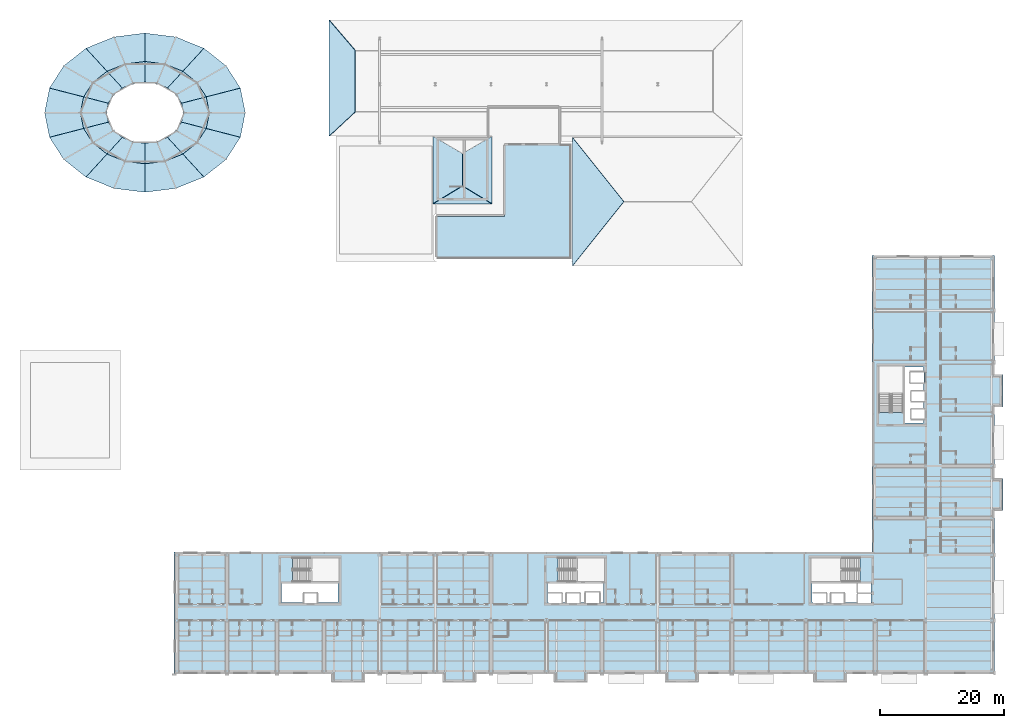
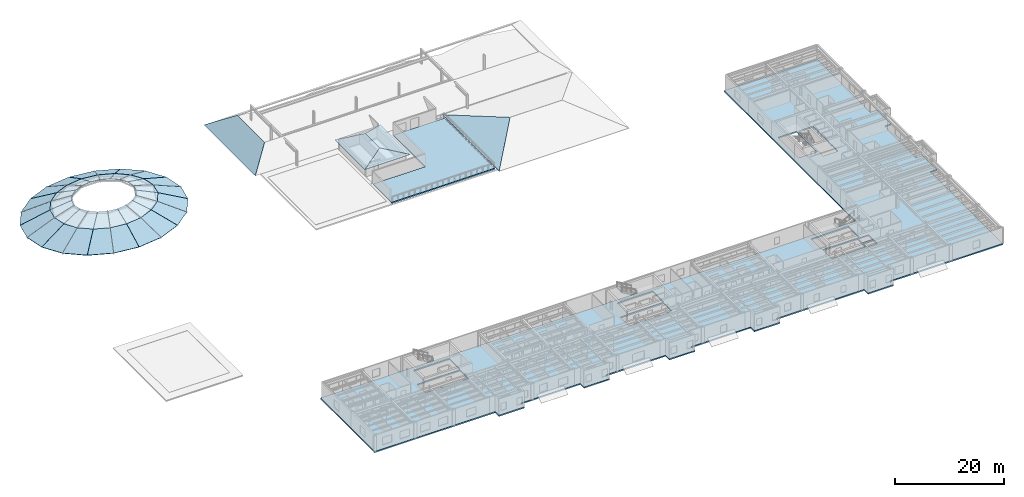
# One storey, part 10 of 34: 47 slabs.
"""IFC4 building model written with IfcOpenShell, lengths in metres."""

from ifc_helpers import new_model, si_unit, direction, frame, origin, place, context, subcontext, project, spatial, polyline, outline, extrude, material, layer, layer_set, type_object, element, save


model = new_model("IFC4")

# Units and contexts
model_context = context("Model", 3, precision=1e-05, world=origin(), true_north=direction((0.0, 1.0)))
body_context = subcontext(model_context, "Body", "Model", "MODEL_VIEW")
ifc_project = project(units=[si_unit("LENGTHUNIT", "METRE"), si_unit("AREAUNIT", "SQUARE_METRE"), si_unit("VOLUMEUNIT", "CUBIC_METRE"), si_unit("PLANEANGLEUNIT", "RADIAN"), si_unit("MASSUNIT", "GRAM", prefix="KILO")], contexts=[model_context])

# Site, building, storey
site_placement = place(None, origin())
site = spatial("IfcSite", under=ifc_project, at=site_placement, CompositionType="ELEMENT")
building_placement = place(site_placement, origin())
building = spatial("IfcBuilding", under=site, at=building_placement, Name="Sollismere Congress Hotel", CompositionType="ELEMENT")
storey_placement = place(building_placement, frame((0.0, 0.0, 23.39990234375)))
storey = spatial("IfcBuildingStorey", under=building, at=storey_placement, Name="L05", CompositionType="ELEMENT", Elevation=23.39990234375)

# Slabs
ifc_material_1 = material(Name="Standing-Seam Zinc on Precast Concrete C40/50", Category="concrete")
ifc_layer_1 = layer(ifc_material_1, 0.139892578125, Name="Standing-Seam Zinc on Precast Concrete C40/50")
ifc_layer_set_1 = layer_set([ifc_layer_1], Name="Standing-Seam Zinc on Precast Concrete C40/50")
slab_type_1 = type_object("IfcSlabType", Name="SL-DOME140", PredefinedType="ROOF", material=ifc_layer_set_1)
slab_1_placement = place(storey_placement, frame((45.186767578125, 90.394287109375, -0.078857421875), z_axis=(0.381243257057, 0.076117365367, 0.921335837596), x_axis=(-0.195801261513, 0.980643597834, 4.236939e-06)))
element("IfcSlab", 1, at=slab_1_placement, inside=storey, type_object=slab_type_1, Name="Congress shell dome standing-seam panel SL-DM-301", PredefinedType="ROOF", context=body_context, shape_type="SweptSolid", body=[
    extrude(outline(polyline([(0.0, 0.0), (4.048583984375, 0.0), (3.736572265625, 6.173583984375), (1.134033203125, 6.173828125), (0.0, 0.0)])), origin(), (0.0, 0.0, 1.0), 0.139892578125),
])
slab_2_placement = place(storey_placement, frame((44.395263671875, 94.354248046875, -0.077880859375), z_axis=(0.341207582637, 0.219208174356, 0.914070654734), x_axis=(-0.540489857462, 0.841350529695, -1.2773523e-05)))
element("IfcSlab", 2, at=slab_2_placement, inside=storey, type_object=slab_type_1, Name="Congress shell dome standing-seam panel SL-DM-302", PredefinedType="ROOF", context=body_context, shape_type="SweptSolid", body=[
    extrude(outline(polyline([(0.0, 0.0), (4.2568359375, 0.0), (4.520263671875, 5.918212890625), (1.78369140625, 5.918212890625), (0.0, 0.0)])), origin(), (0.0, 0.0, 1.0), 0.139892578125),
])
slab_3_placement = place(storey_placement, frame((42.09716796875, 97.927734375, -0.076171875), z_axis=(0.267411755122, 0.33716587236, 0.902668337618), x_axis=(-0.783496039841, 0.62139677787, 2.508621e-06)))
element("IfcSlab", 3, at=slab_3_placement, inside=storey, type_object=slab_type_1, Name="Congress shell dome standing-seam panel SL-DM-303", PredefinedType="ROOF", context=body_context, shape_type="SweptSolid", body=[
    extrude(outline(polyline([(0.0, 0.0), (4.573974609375, 0.0), (4.9345703125, 5.577392578125), (1.994140625, 5.577392578125), (0.0, 0.0)])), origin(), (0.0, 0.0, 1.0), 0.139892578125),
])
slab_4_placement = place(storey_placement, frame((38.5166015625, 100.7646484375, -0.07470703125), z_axis=(0.169595460501, 0.41968626621, 0.891684258991), x_axis=(-0.927163291632, 0.374657484416, 4.580839e-06)))
element("IfcSlab", 4, at=slab_4_placement, inside=storey, type_object=slab_type_1, Name="Congress shell dome standing-seam panel SL-DM-304", PredefinedType="ROOF", context=body_context, shape_type="SweptSolid", body=[
    extrude(outline(polyline([(0.0, 0.0), (4.870361328125, 0.0), (4.895263671875, 5.30224609375), (1.764404296875, 5.302490234375), (0.0, 0.0)])), origin(), (0.0, 0.0, 1.0), 0.139892578125),
])
slab_5_placement = place(storey_placement, frame((34.004150390625, 102.58642578125, -0.07373046875), z_axis=(0.058004781679, 0.461789899805, 0.885090692382), x_axis=(-0.992200345183, 0.124653418943, -1.2795796e-05)))
element("IfcSlab", 5, at=slab_5_placement, inside=storey, type_object=slab_type_1, Name="Congress shell dome standing-seam panel SL-DM-305", PredefinedType="ROOF", context=body_context, shape_type="SweptSolid", body=[
    extrude(outline(polyline([(0.0, 0.0), (5.044921875, 0.0), (4.473876953125, 5.156982421875), (1.230712890625, 5.15673828125), (0.0, 0.0)])), origin(), (0.0, 0.0, 1.0), 0.139892578125),
])
slab_6_placement = place(storey_placement, frame((29.00146484375, 103.21533203125, -0.07373046875), z_axis=(-0.058004781679, 0.461789899805, 0.885090692382), x_axis=(-0.992200345183, -0.124653418943, 1.2795796e-05)))
element("IfcSlab", 6, at=slab_6_placement, inside=storey, type_object=slab_type_1, Name="Congress shell dome standing-seam panel SL-DM-306", PredefinedType="ROOF", context=body_context, shape_type="SweptSolid", body=[
    extrude(outline(polyline([(0.0, 0.0), (5.044921875, 0.0), (3.814208984375, 5.15673828125), (0.571044921875, 5.156982421875), (0.0, 0.0)])), origin(), (0.0, 0.0, 1.0), 0.139892578125),
])
slab_7_placement = place(storey_placement, frame((23.9990234375, 102.58935546875, -0.07470703125), z_axis=(-0.169595460501, 0.41968626621, 0.891684258991), x_axis=(-0.927163291632, -0.374657484416, -4.580839e-06)))
element("IfcSlab", 7, at=slab_7_placement, inside=storey, type_object=slab_type_1, Name="Congress shell dome standing-seam panel SL-DM-307", PredefinedType="ROOF", context=body_context, shape_type="SweptSolid", body=[
    extrude(outline(polyline([(0.0, 0.0), (4.870361328125, 0.0), (3.10595703125, 5.302490234375), (-0.02490234375, 5.30224609375), (0.0, 0.0)])), origin(), (0.0, 0.0, 1.0), 0.139892578125),
])
slab_8_placement = place(storey_placement, frame((19.486572265625, 100.77001953125, -0.076171875), z_axis=(-0.267411755122, 0.33716587236, 0.902668337618), x_axis=(-0.783496039841, -0.62139677787, -2.508621e-06)))
element("IfcSlab", 8, at=slab_8_placement, inside=storey, type_object=slab_type_1, Name="Congress shell dome standing-seam panel SL-DM-308", PredefinedType="ROOF", context=body_context, shape_type="SweptSolid", body=[
    extrude(outline(polyline([(0.0, 0.0), (4.573974609375, 0.0), (2.579833984375, 5.577392578125), (-0.360595703125, 5.577392578125), (0.0, 0.0)])), origin(), (0.0, 0.0, 1.0), 0.139892578125),
])
slab_9_placement = place(storey_placement, frame((15.905517578125, 97.935791015625, -0.077880859375), z_axis=(-0.341207582637, 0.219208174356, 0.914070654734), x_axis=(-0.540489857462, -0.841350529695, 1.2773523e-05)))
element("IfcSlab", 9, at=slab_9_placement, inside=storey, type_object=slab_type_1, Name="Congress shell dome standing-seam panel SL-DM-309", PredefinedType="ROOF", context=body_context, shape_type="SweptSolid", body=[
    extrude(outline(polyline([(0.0, 0.0), (4.2568359375, 0.0), (2.47314453125, 5.918212890625), (-0.26318359375, 5.918212890625), (0.0, 0.0)])), origin(), (0.0, 0.0, 1.0), 0.139892578125),
])
slab_10_placement = place(storey_placement, frame((13.60595703125, 94.364501953125, -0.078857421875), z_axis=(-0.381243257057, 0.076117365367, 0.921335837596), x_axis=(-0.195801261513, -0.980643597834, -4.236939e-06)))
element("IfcSlab", 10, at=slab_10_placement, inside=storey, type_object=slab_type_1, Name="Congress shell dome standing-seam panel SL-DM-310", PredefinedType="ROOF", context=body_context, shape_type="SweptSolid", body=[
    extrude(outline(polyline([(0.0, 0.0), (4.048583984375, 0.0), (2.91455078125, 6.173828125), (0.31201171875, 6.173583984375), (0.0, 0.0)])), origin(), (0.0, 0.0, 1.0), 0.139892578125),
])
slab_11_placement = place(storey_placement, frame((12.813232421875, 90.405517578125, -0.078857421875), z_axis=(-0.381241518184, -0.076119867415, 0.921336350416), x_axis=(0.19581215619, -0.980641422465, 5.892143e-06)))
element("IfcSlab", 11, at=slab_11_placement, inside=storey, type_object=slab_type_1, Name="Congress shell dome standing-seam panel SL-DM-311", PredefinedType="ROOF", context=body_context, shape_type="SweptSolid", body=[
    extrude(outline(polyline([(0.0, 0.0), (4.04833984375, 0.0), (3.736328125, 6.173583984375), (1.1337890625, 6.173828125), (0.0, 0.0)])), origin(), (0.0, 0.0, 1.0), 0.139892578125),
])
slab_12_placement = place(storey_placement, frame((13.604736328125, 86.44580078125, -0.077880859375), z_axis=(-0.341207582637, -0.219208174356, 0.914070654734), x_axis=(0.540489857462, -0.841350529695, -1.2773523e-05)))
element("IfcSlab", 12, at=slab_12_placement, inside=storey, type_object=slab_type_1, Name="Congress shell dome standing-seam panel SL-DM-312", PredefinedType="ROOF", context=body_context, shape_type="SweptSolid", body=[
    extrude(outline(polyline([(0.0, 0.0), (4.2568359375, 0.0), (4.520263671875, 5.918212890625), (1.78369140625, 5.918212890625), (0.0, 0.0)])), origin(), (0.0, 0.0, 1.0), 0.139892578125),
])
slab_13_placement = place(storey_placement, frame((15.90283203125, 82.872314453125, -0.076171875), z_axis=(-0.267411755122, -0.33716587236, 0.902668337618), x_axis=(0.783496039841, -0.62139677787, 2.508621e-06)))
element("IfcSlab", 13, at=slab_13_placement, inside=storey, type_object=slab_type_1, Name="Congress shell dome standing-seam panel SL-DM-313", PredefinedType="ROOF", context=body_context, shape_type="SweptSolid", body=[
    extrude(outline(polyline([(0.0, 0.0), (4.573974609375, 0.0), (4.9345703125, 5.577392578125), (1.994140625, 5.577392578125), (0.0, 0.0)])), origin(), (0.0, 0.0, 1.0), 0.139892578125),
])
slab_14_placement = place(storey_placement, frame((19.4833984375, 80.035400390625, -0.07470703125), z_axis=(-0.169595460501, -0.41968626621, 0.891684258991), x_axis=(0.927163291632, -0.374657484416, 4.580839e-06)))
element("IfcSlab", 14, at=slab_14_placement, inside=storey, type_object=slab_type_1, Name="Congress shell dome standing-seam panel SL-DM-314", PredefinedType="ROOF", context=body_context, shape_type="SweptSolid", body=[
    extrude(outline(polyline([(0.0, 0.0), (4.870361328125, 0.0), (4.895263671875, 5.30224609375), (1.764404296875, 5.302490234375), (0.0, 0.0)])), origin(), (0.0, 0.0, 1.0), 0.139892578125),
])
slab_15_placement = place(storey_placement, frame((23.995849609375, 78.21337890625, -0.07373046875), z_axis=(-0.057990175589, -0.46178275994, 0.885095374611), x_axis=(0.992205822266, -0.124609815973, -5.055819e-06)))
element("IfcSlab", 15, at=slab_15_placement, inside=storey, type_object=slab_type_1, Name="Congress shell dome standing-seam panel SL-DM-315", PredefinedType="ROOF", context=body_context, shape_type="SweptSolid", body=[
    extrude(outline(polyline([(0.0, 0.0), (5.044921875, 0.0), (4.47412109375, 5.1572265625), (1.23095703125, 5.156982421875), (0.0, 0.0)])), origin(), (0.0, 0.0, 1.0), 0.139892578125),
])
slab_16_placement = place(storey_placement, frame((28.99853515625, 77.584716796875, -0.07373046875), z_axis=(0.057990175589, -0.46178275994, 0.885095374611), x_axis=(0.992205822266, 0.124609815973, 5.055819e-06)))
element("IfcSlab", 16, at=slab_16_placement, inside=storey, type_object=slab_type_1, Name="Congress shell dome standing-seam panel SL-DM-316", PredefinedType="ROOF", context=body_context, shape_type="SweptSolid", body=[
    extrude(outline(polyline([(0.0, 0.0), (5.044921875, 0.0), (3.814208984375, 5.156982421875), (0.57080078125, 5.1572265625), (0.0, 0.0)])), origin(), (0.0, 0.0, 1.0), 0.139892578125),
])
slab_17_placement = place(storey_placement, frame((34.0009765625, 78.210693359375, -0.07470703125), z_axis=(0.169595460501, -0.41968626621, 0.891684258991), x_axis=(0.927163291632, 0.374657484416, -4.580839e-06)))
element("IfcSlab", 17, at=slab_17_placement, inside=storey, type_object=slab_type_1, Name="Congress shell dome standing-seam panel SL-DM-317", PredefinedType="ROOF", context=body_context, shape_type="SweptSolid", body=[
    extrude(outline(polyline([(0.0, 0.0), (4.870361328125, 0.0), (3.10595703125, 5.302490234375), (-0.02490234375, 5.30224609375), (0.0, 0.0)])), origin(), (0.0, 0.0, 1.0), 0.139892578125),
])
slab_18_placement = place(storey_placement, frame((38.513427734375, 80.030029296875, -0.076171875), z_axis=(0.267411755122, -0.33716587236, 0.902668337618), x_axis=(0.783496039841, 0.62139677787, -2.508621e-06)))
element("IfcSlab", 18, at=slab_18_placement, inside=storey, type_object=slab_type_1, Name="Congress shell dome standing-seam panel SL-DM-318", PredefinedType="ROOF", context=body_context, shape_type="SweptSolid", body=[
    extrude(outline(polyline([(0.0, 0.0), (4.573974609375, 0.0), (2.579833984375, 5.577392578125), (-0.360595703125, 5.577392578125), (0.0, 0.0)])), origin(), (0.0, 0.0, 1.0), 0.139892578125),
])
slab_19_placement = place(storey_placement, frame((42.094482421875, 82.8642578125, -0.077880859375), z_axis=(0.341207582637, -0.219208174356, 0.914070654734), x_axis=(0.540489857462, 0.841350529695, 1.2773523e-05)))
element("IfcSlab", 19, at=slab_19_placement, inside=storey, type_object=slab_type_1, Name="Congress shell dome standing-seam panel SL-DM-319", PredefinedType="ROOF", context=body_context, shape_type="SweptSolid", body=[
    extrude(outline(polyline([(0.0, 0.0), (4.2568359375, 0.0), (2.47314453125, 5.918212890625), (-0.26318359375, 5.918212890625), (0.0, 0.0)])), origin(), (0.0, 0.0, 1.0), 0.139892578125),
])
slab_20_placement = place(storey_placement, frame((44.39404296875, 86.435546875, -0.078857421875), z_axis=(0.381241518184, -0.076119867415, 0.921336350416), x_axis=(0.19581215619, 0.980641422465, -5.892143e-06)))
element("IfcSlab", 20, at=slab_20_placement, inside=storey, type_object=slab_type_1, Name="Congress shell dome standing-seam panel SL-DM-320", PredefinedType="ROOF", context=body_context, shape_type="SweptSolid", body=[
    extrude(outline(polyline([(0.0, 0.0), (4.04833984375, 0.0), (2.91455078125, 6.173828125), (0.31201171875, 6.173583984375), (0.0, 0.0)])), origin(), (0.0, 0.0, 1.0), 0.139892578125),
])
slab_21_placement = place(storey_placement, frame((39.397216796875, 90.394775390625, 2.317138671875), z_axis=(0.305069814205, 0.060915299788, 0.950379784461), x_axis=(-0.195777028545, 0.980648435967, -1.1397275e-05)))
element("IfcSlab", 21, at=slab_21_placement, inside=storey, type_object=slab_type_1, Name="Congress shell dome standing-seam panel SL-DM-401", PredefinedType="ROOF", context=body_context, shape_type="SweptSolid", body=[
    extrude(outline(polyline([(0.0, 0.0), (2.6025390625, 0.0), (2.376220703125, 4.339111328125), (0.822021484375, 4.339111328125), (0.0, 0.0)])), origin(), (0.0, 0.0, 1.0), 0.139892578125),
])
slab_22_placement = place(storey_placement, frame((38.889404296875, 92.937255859375, 2.31787109375), z_axis=(0.273799647786, 0.175910184015, 0.945562985756), x_axis=(-0.540556267991, 0.84130786341, 1.004134e-05)))
element("IfcSlab", 22, at=slab_22_placement, inside=storey, type_object=slab_type_1, Name="Congress shell dome standing-seam panel SL-DM-402", PredefinedType="ROOF", context=body_context, shape_type="SweptSolid", body=[
    extrude(outline(polyline([(0.0, 0.0), (2.736572265625, 0.0), (2.927734375, 4.147705078125), (1.29345703125, 4.14794921875), (0.0, 0.0)])), origin(), (0.0, 0.0, 1.0), 0.139892578125),
])
slab_23_placement = place(storey_placement, frame((37.413330078125, 95.2314453125, 2.319091796875), z_axis=(0.215537695819, 0.271757081428, 0.937918754677), x_axis=(-0.783486818976, 0.621408403942, -1.269367e-06)))
element("IfcSlab", 23, at=slab_23_placement, inside=storey, type_object=slab_type_1, Name="Congress shell dome standing-seam panel SL-DM-403", PredefinedType="ROOF", context=body_context, shape_type="SweptSolid", body=[
    extrude(outline(polyline([(0.0, 0.0), (2.9404296875, 0.0), (3.201904296875, 3.8916015625), (1.44580078125, 3.8916015625), (0.0, 0.0)])), origin(), (0.0, 0.0, 1.0), 0.139892578125),
])
slab_24_placement = place(storey_placement, frame((35.11376953125, 97.052978515625, 2.320068359375), z_axis=(0.137278843751, 0.339726677311, 0.930451666548), x_axis=(-0.927154808026, 0.374678477964, -1.0247017e-05)))
element("IfcSlab", 24, at=slab_24_placement, inside=storey, type_object=slab_type_1, Name="Congress shell dome standing-seam panel SL-DM-404", PredefinedType="ROOF", context=body_context, shape_type="SweptSolid", body=[
    extrude(outline(polyline([(0.0, 0.0), (3.130859375, 0.0), (3.14892578125, 3.68408203125), (1.279052734375, 3.683837890625), (0.0, 0.0)])), origin(), (0.0, 0.0, 1.0), 0.139892578125),
])
slab_25_placement = place(storey_placement, frame((32.215576171875, 98.223388671875, 2.320556640625), z_axis=(0.047063366362, 0.374744724667, 0.925932735614), x_axis=(-0.992208904045, 0.124585274567, 9.738011e-06)))
element("IfcSlab", 25, at=slab_25_placement, inside=storey, type_object=slab_type_1, Name="Congress shell dome standing-seam panel SL-DM-405", PredefinedType="ROOF", context=body_context, shape_type="SweptSolid", body=[
    extrude(outline(polyline([(0.0, 0.0), (3.2431640625, 0.0), (2.82958984375, 3.573974609375), (0.892578125, 3.573974609375), (0.0, 0.0)])), origin(), (0.0, 0.0, 1.0), 0.139892578125),
])
slab_26_placement = place(storey_placement, frame((29.00244140625, 98.62744140625, 2.320556640625), z_axis=(-0.047063366362, 0.374744724667, 0.925932735614), x_axis=(-0.992208904045, -0.124585274567, -9.738011e-06)))
element("IfcSlab", 26, at=slab_26_placement, inside=storey, type_object=slab_type_1, Name="Congress shell dome standing-seam panel SL-DM-406", PredefinedType="ROOF", context=body_context, shape_type="SweptSolid", body=[
    extrude(outline(polyline([(0.0, 0.0), (3.2431640625, 0.0), (2.350830078125, 3.573974609375), (0.413818359375, 3.573974609375), (0.0, 0.0)])), origin(), (0.0, 0.0, 1.0), 0.139892578125),
])
slab_27_placement = place(storey_placement, frame((25.7890625, 98.22607421875, 2.320068359375), z_axis=(-0.137278843751, 0.339726677311, 0.930451666548), x_axis=(-0.927154808026, -0.374678477964, 1.0247017e-05)))
element("IfcSlab", 27, at=slab_27_placement, inside=storey, type_object=slab_type_1, Name="Congress shell dome standing-seam panel SL-DM-407", PredefinedType="ROOF", context=body_context, shape_type="SweptSolid", body=[
    extrude(outline(polyline([(0.0, 0.0), (3.130859375, 0.0), (1.851806640625, 3.683837890625), (-0.01806640625, 3.68408203125), (0.0, 0.0)])), origin(), (0.0, 0.0, 1.0), 0.139892578125),
])
slab_28_placement = place(storey_placement, frame((22.890380859375, 97.05859375, 2.319091796875), z_axis=(-0.215537695819, 0.271757081428, 0.937918754677), x_axis=(-0.783486818976, -0.621408403942, 1.269367e-06)))
element("IfcSlab", 28, at=slab_28_placement, inside=storey, type_object=slab_type_1, Name="Congress shell dome standing-seam panel SL-DM-408", PredefinedType="ROOF", context=body_context, shape_type="SweptSolid", body=[
    extrude(outline(polyline([(0.0, 0.0), (2.9404296875, 0.0), (1.49462890625, 3.8916015625), (-0.261474609375, 3.8916015625), (0.0, 0.0)])), origin(), (0.0, 0.0, 1.0), 0.139892578125),
])
slab_29_placement = place(storey_placement, frame((20.58984375, 95.239501953125, 2.31787109375), z_axis=(-0.273799647786, 0.175910184015, 0.945562985756), x_axis=(-0.540556267991, -0.84130786341, -1.004134e-05)))
element("IfcSlab", 29, at=slab_29_placement, inside=storey, type_object=slab_type_1, Name="Congress shell dome standing-seam panel SL-DM-409", PredefinedType="ROOF", context=body_context, shape_type="SweptSolid", body=[
    extrude(outline(polyline([(0.0, 0.0), (2.736572265625, 0.0), (1.443115234375, 4.14794921875), (-0.191162109375, 4.147705078125), (0.0, 0.0)])), origin(), (0.0, 0.0, 1.0), 0.139892578125),
])
slab_30_placement = place(storey_placement, frame((19.1123046875, 92.947021484375, 2.317138671875), z_axis=(-0.305069814205, 0.060915299788, 0.950379784461), x_axis=(-0.195777028545, -0.980648435967, 1.1397275e-05)))
element("IfcSlab", 30, at=slab_30_placement, inside=storey, type_object=slab_type_1, Name="Congress shell dome standing-seam panel SL-DM-410", PredefinedType="ROOF", context=body_context, shape_type="SweptSolid", body=[
    extrude(outline(polyline([(0.0, 0.0), (2.6025390625, 0.0), (1.780517578125, 4.339111328125), (0.226318359375, 4.339111328125), (0.0, 0.0)])), origin(), (0.0, 0.0, 1.0), 0.139892578125),
])
slab_31_placement = place(storey_placement, frame((18.602783203125, 90.4052734375, 2.317138671875), z_axis=(-0.305069814205, -0.060915299788, 0.950379784461), x_axis=(0.195777028545, -0.980648435967, -1.1397275e-05)))
element("IfcSlab", 31, at=slab_31_placement, inside=storey, type_object=slab_type_1, Name="Congress shell dome standing-seam panel SL-DM-411", PredefinedType="ROOF", context=body_context, shape_type="SweptSolid", body=[
    extrude(outline(polyline([(0.0, 0.0), (2.6025390625, 0.0), (2.376220703125, 4.339111328125), (0.822021484375, 4.339111328125), (0.0, 0.0)])), origin(), (0.0, 0.0, 1.0), 0.139892578125),
])
slab_32_placement = place(storey_placement, frame((19.110595703125, 87.86279296875, 2.31787109375), z_axis=(-0.273799647786, -0.175910184015, 0.945562985756), x_axis=(0.540556267991, -0.84130786341, 1.004134e-05)))
element("IfcSlab", 32, at=slab_32_placement, inside=storey, type_object=slab_type_1, Name="Congress shell dome standing-seam panel SL-DM-412", PredefinedType="ROOF", context=body_context, shape_type="SweptSolid", body=[
    extrude(outline(polyline([(0.0, 0.0), (2.736572265625, 0.0), (2.927734375, 4.147705078125), (1.29345703125, 4.14794921875), (0.0, 0.0)])), origin(), (0.0, 0.0, 1.0), 0.139892578125),
])
slab_33_placement = place(storey_placement, frame((20.586669921875, 85.568603515625, 2.319091796875), z_axis=(-0.215533401492, -0.271774402015, 0.937914722803), x_axis=(0.783489864057, -0.621404564442, -1.4519951e-05)))
element("IfcSlab", 33, at=slab_33_placement, inside=storey, type_object=slab_type_1, Name="Congress shell dome standing-seam panel SL-DM-413", PredefinedType="ROOF", context=body_context, shape_type="SweptSolid", body=[
    extrude(outline(polyline([(0.0, 0.0), (2.9404296875, 0.0), (3.201904296875, 3.8916015625), (1.44580078125, 3.8916015625), (0.0, 0.0)])), origin(), (0.0, 0.0, 1.0), 0.139892578125),
])
slab_34_placement = place(storey_placement, frame((22.88623046875, 83.7470703125, 2.320068359375), z_axis=(-0.137278843751, -0.339726677311, 0.930451666548), x_axis=(0.927154808026, -0.374678477964, -1.0247017e-05)))
element("IfcSlab", 34, at=slab_34_placement, inside=storey, type_object=slab_type_1, Name="Congress shell dome standing-seam panel SL-DM-414", PredefinedType="ROOF", context=body_context, shape_type="SweptSolid", body=[
    extrude(outline(polyline([(0.0, 0.0), (3.130859375, 0.0), (3.14892578125, 3.68408203125), (1.279052734375, 3.683837890625), (0.0, 0.0)])), origin(), (0.0, 0.0, 1.0), 0.139892578125),
])
slab_35_placement = place(storey_placement, frame((25.784423828125, 82.57666015625, 2.320556640625), z_axis=(-0.047047455265, -0.374759771353, 0.925927454355), x_axis=(0.99220973512, -0.124578655836, -6.615475e-06)))
element("IfcSlab", 35, at=slab_35_placement, inside=storey, type_object=slab_type_1, Name="Congress shell dome standing-seam panel SL-DM-415", PredefinedType="ROOF", context=body_context, shape_type="SweptSolid", body=[
    extrude(outline(polyline([(0.0, 0.0), (3.2431640625, 0.0), (2.82958984375, 3.573974609375), (0.892578125, 3.57373046875), (0.0, 0.0)])), origin(), (0.0, 0.0, 1.0), 0.139892578125),
])
slab_36_placement = place(storey_placement, frame((28.99755859375, 82.172607421875, 2.320556640625), z_axis=(0.047047455265, -0.374759771353, 0.925927454355), x_axis=(0.99220973512, 0.124578655836, 6.615475e-06)))
element("IfcSlab", 36, at=slab_36_placement, inside=storey, type_object=slab_type_1, Name="Congress shell dome standing-seam panel SL-DM-416", PredefinedType="ROOF", context=body_context, shape_type="SweptSolid", body=[
    extrude(outline(polyline([(0.0, 0.0), (3.2431640625, 0.0), (2.350830078125, 3.57373046875), (0.413818359375, 3.573974609375), (0.0, 0.0)])), origin(), (0.0, 0.0, 1.0), 0.139892578125),
])
slab_37_placement = place(storey_placement, frame((32.2109375, 82.573974609375, 2.320068359375), z_axis=(0.137278843751, -0.339726677311, 0.930451666548), x_axis=(0.927154808026, 0.374678477964, 1.0247017e-05)))
element("IfcSlab", 37, at=slab_37_placement, inside=storey, type_object=slab_type_1, Name="Congress shell dome standing-seam panel SL-DM-417", PredefinedType="ROOF", context=body_context, shape_type="SweptSolid", body=[
    extrude(outline(polyline([(0.0, 0.0), (3.130859375, 0.0), (1.851806640625, 3.683837890625), (-0.01806640625, 3.68408203125), (0.0, 0.0)])), origin(), (0.0, 0.0, 1.0), 0.139892578125),
])
slab_38_placement = place(storey_placement, frame((35.109619140625, 83.741455078125, 2.319091796875), z_axis=(0.215533401492, -0.271774402015, 0.937914722803), x_axis=(0.783489864057, 0.621404564442, 1.4519951e-05)))
element("IfcSlab", 38, at=slab_38_placement, inside=storey, type_object=slab_type_1, Name="Congress shell dome standing-seam panel SL-DM-418", PredefinedType="ROOF", context=body_context, shape_type="SweptSolid", body=[
    extrude(outline(polyline([(0.0, 0.0), (2.9404296875, 0.0), (1.494384765625, 3.8916015625), (-0.261474609375, 3.8916015625), (0.0, 0.0)])), origin(), (0.0, 0.0, 1.0), 0.139892578125),
])
slab_39_placement = place(storey_placement, frame((37.41015625, 85.560546875, 2.31787109375), z_axis=(0.273799647786, -0.175910184015, 0.945562985756), x_axis=(0.540556267991, 0.84130786341, -1.004134e-05)))
element("IfcSlab", 39, at=slab_39_placement, inside=storey, type_object=slab_type_1, Name="Congress shell dome standing-seam panel SL-DM-419", PredefinedType="ROOF", context=body_context, shape_type="SweptSolid", body=[
    extrude(outline(polyline([(0.0, 0.0), (2.736572265625, 0.0), (1.443115234375, 4.14794921875), (-0.191162109375, 4.147705078125), (0.0, 0.0)])), origin(), (0.0, 0.0, 1.0), 0.139892578125),
])
slab_40_placement = place(storey_placement, frame((38.8876953125, 87.85302734375, 2.317138671875), z_axis=(0.305069814205, -0.060915299788, 0.950379784461), x_axis=(0.195777028545, 0.980648435967, 1.1397275e-05)))
element("IfcSlab", 40, at=slab_40_placement, inside=storey, type_object=slab_type_1, Name="Congress shell dome standing-seam panel SL-DM-420", PredefinedType="ROOF", context=body_context, shape_type="SweptSolid", body=[
    extrude(outline(polyline([(0.0, 0.0), (2.6025390625, 0.0), (1.780517578125, 4.339111328125), (0.226318359375, 4.339111328125), (0.0, 0.0)])), origin(), (0.0, 0.0, 1.0), 0.139892578125),
])
ifc_material_2 = material(Name="Concrete C40/50", Category="concrete")
ifc_layer_2 = layer(ifc_material_2, 0.2900390625, Name="Concrete C40/50")
ifc_layer_set_2 = layer_set([ifc_layer_2], Name="Concrete C40/50")
slab_type_2 = type_object("IfcSlabType", Name="SL-FLR290", PredefinedType="FLOOR", material=ifc_layer_set_2)
slab_41_placement = place(storey_placement, frame((0.0, 0.0, -0.289794921875)))
element("IfcSlab", 41, at=slab_41_placement, inside=storey, type_object=slab_type_2, Name="Slab SL-L05-V5", PredefinedType="FLOOR", context=body_context, shape_type="SweptSolid", body=[
    extrude(outline(polyline([(64.60009765625, -1.85009765625), (64.60009765625, -0.47998046875), (77.199951171875, -0.47998046875), (77.199951171875, -1.85009765625), (82.60009765625, -1.85009765625), (82.60009765625, -0.47998046875), (95.199951171875, -0.47998046875), (95.199951171875, -1.85009765625), (100.60009765625, -1.85009765625), (100.60009765625, -0.47998046875), (113.199951171875, -0.47998046875), (113.199951171875, -1.85009765625), (118.60009765625, -1.85009765625), (118.60009765625, -0.47998046875), (137.199951171875, -0.47998046875), (137.199951171875, -1.85009765625), (142.60009765625, -1.85009765625), (142.60009765625, -0.47998046875), (166.47998046875, -0.47998046875), (166.47998046875, 19.280029296875), (166.47998046875, 26.0), (167.85009765625, 26.0), (167.85009765625, 31.199951171875), (166.47998046875, 31.199951171875), (166.47998046875, 42.800048828125), (167.85009765625, 42.800048828125), (167.85009765625, 48.0), (166.47998046875, 48.0), (166.47998046875, 67.280029296875), (146.719970703125, 67.280029296875), (146.719970703125, 19.280029296875), (33.719970703125, 19.280029296875), (33.719970703125, -0.47998046875), (59.199951171875, -0.47998046875), (59.199951171875, -1.85009765625), (64.60009765625, -1.85009765625)]), holes=[polyline([(54.7548828125, 11.050048828125), (54.7548828125, 11.139892578125), (51.139892578125, 11.139892578125), (51.139892578125, 14.179931640625), (60.260009765625, 14.179931640625), (60.260009765625, 11.139892578125), (56.844970703125, 11.139892578125), (56.844970703125, 11.050048828125), (54.7548828125, 11.050048828125)]), polyline([(94.35498046875, 11.050048828125), (94.35498046875, 11.139892578125), (94.139892578125, 11.139892578125), (94.139892578125, 14.179931640625), (103.260009765625, 14.179931640625), (103.260009765625, 11.139892578125), (102.570068359375, 11.139892578125), (102.570068359375, 11.054931640625), (100.330078125, 11.054931640625), (100.330078125, 11.139892578125), (99.344970703125, 11.139892578125), (99.344970703125, 11.050048828125), (97.2548828125, 11.050048828125), (97.2548828125, 11.139892578125), (96.445068359375, 11.139892578125), (96.445068359375, 11.050048828125), (94.35498046875, 11.050048828125)]), polyline([(137.155029296875, 11.050048828125), (137.155029296875, 11.139892578125), (136.93994140625, 11.139892578125), (136.93994140625, 14.179931640625), (144.22705078125, 14.179931640625), (144.22705078125, 11.139892578125), (142.14501953125, 11.139892578125), (142.14501953125, 11.050048828125), (140.054931640625, 11.050048828125), (140.054931640625, 11.139892578125), (139.2451171875, 11.139892578125), (139.2451171875, 11.050048828125), (137.155029296875, 11.050048828125)]), polyline([(52.8505859375, 18.35009765625), (60.39990234375, 18.35009765625), (60.39990234375, 14.449951171875), (52.8505859375, 14.449951171875), (52.8505859375, 18.35009765625)]), polyline([(95.8505859375, 14.449951171875), (95.8505859375, 18.35009765625), (103.39990234375, 18.35009765625), (103.39990234375, 14.449951171875), (95.8505859375, 14.449951171875)]), polyline([(146.550048828125, 11.0048828125), (144.409912109375, 11.0048828125), (144.409912109375, 12.4951171875), (146.550048828125, 12.4951171875), (146.550048828125, 11.0048828125)]), polyline([(144.409912109375, 12.705078125), (144.409912109375, 14.195068359375), (146.550048828125, 14.195068359375), (146.550048828125, 12.705078125), (144.409912109375, 12.705078125)]), polyline([(144.749267578125, 14.449951171875), (136.800048828125, 14.449951171875), (136.800048828125, 18.35009765625), (144.749267578125, 18.35009765625), (144.749267578125, 14.449951171875)]), polyline([(155.06005859375, 40.830078125), (155.06005859375, 40.139892578125), (151.969970703125, 40.139892578125), (151.969970703125, 49.260009765625), (155.06005859375, 49.260009765625), (155.06005859375, 48.39501953125), (155.139892578125, 48.39501953125), (155.139892578125, 46.705078125), (155.06005859375, 46.705078125), (155.06005859375, 45.27001953125), (155.14501953125, 45.27001953125), (155.14501953125, 43.72998046875), (155.06005859375, 43.72998046875), (155.06005859375, 42.3701171875), (155.14501953125, 42.3701171875), (155.14501953125, 40.830078125), (155.06005859375, 40.830078125)]), polyline([(147.800048828125, 41.8505859375), (147.800048828125, 49.39990234375), (151.699951171875, 49.39990234375), (151.699951171875, 41.8505859375), (147.800048828125, 41.8505859375)])]), origin(), (0.0, 0.0, 1.0), 0.289794921875),
])
ifc_layer_3 = layer(ifc_material_1, 0.14990234375, Name="Standing-Seam Zinc on Precast Concrete C40/50")
ifc_layer_set_3 = layer_set([ifc_layer_3], Name="Standing-Seam Zinc on Precast Concrete C40/50")
slab_type_3 = type_object("IfcSlabType", Name="SL-SACAK150", PredefinedType="ROOF", material=ifc_layer_set_3)
slab_42_placement = place(storey_placement, frame((58.898193359375, 86.60205078125, -0.11328125), z_axis=(-0.654948933975, 0.0, 0.755673139582), x_axis=(0.618580883269, 0.574388829236, 0.536129801171)))
element("IfcSlab", 42, at=slab_42_placement, inside=storey, type_object=slab_type_3, Name="Hipped roof facet SL-V2N-W", PredefinedType="ROOF", context=body_context, shape_type="SweptSolid", body=[
    extrude(outline(polyline([(0.0, 0.0), (6.78955078125, 0.0), (12.53125, 8.1826171875), (10.796142578125, 15.385986328125), (0.0, 0.0)])), origin(), (0.0, 0.0, 1.0), 0.14990234375),
])
slab_43_placement = place(storey_placement, frame((98.247802734375, 65.60205078125, -0.14208984375), z_axis=(-0.319653848836, 0.0, 0.947534388254), x_axis=(0.61110267074, 0.764233348506, 0.206157500095)))
element("IfcSlab", 43, at=slab_43_placement, inside=storey, type_object=slab_type_3, Name="Hipped roof facet SL-V2E-W", PredefinedType="ROOF", context=body_context, shape_type="SweptSolid", body=[
    extrude(outline(polyline([(0.0, 0.0), (13.58203125, 0.0), (13.609619140625, 0.023193359375), (15.892822265625, 13.412109375), (0.0, 0.0)])), origin(), (0.0, 0.0, 1.0), 0.14990234375),
])
slab_44_placement = place(storey_placement, frame((75.642333984375, 75.60205078125, 2.056396484375), z_axis=(-0.281072744597, 0.0, 0.959686465594), x_axis=(0.829350169474, 0.503167908521, 0.242899881079)))
element("IfcSlab", 44, at=slab_44_placement, inside=storey, type_object=slab_type_3, Name="Hipped roof facet SL-K4H-W", PredefinedType="ROOF", context=body_context, shape_type="SweptSolid", body=[
    extrude(outline(polyline([(0.0, 0.0), (5.76318359375, 0.0), (8.42822265625, 4.576904296875), (5.53271484375, 9.50244140625), (0.0, 0.0)])), origin(), (0.0, 0.0, 1.0), 0.14990234375),
])
slab_45_placement = place(storey_placement, frame((80.377685546875, 78.501953125, 3.456298828125), z_axis=(0.281059522827, 0.0, 0.959690337884), x_axis=(0.829363393066, -0.503150231515, -0.24289134766)))
element("IfcSlab", 45, at=slab_45_placement, inside=storey, type_object=slab_type_3, Name="Hipped roof facet SL-K4H-E", PredefinedType="ROOF", context=body_context, shape_type="SweptSolid", body=[
    extrude(outline(polyline([(0.0, 0.0), (5.763427734375, 0.0), (0.23095703125, 9.502685546875), (-2.664794921875, 4.576904296875), (0.0, 0.0)])), origin(), (0.0, 0.0, 1.0), 0.14990234375),
])
slab_46_placement = place(storey_placement, frame((75.60205078125, 75.665283203125, 2.065185546875), z_axis=(0.0, -0.434736344275, 0.900557777695), x_axis=(1.0, 0.0, 0.0)))
element("IfcSlab", 46, at=slab_46_placement, inside=storey, type_object=slab_type_3, Name="Hipped roof facet SL-K4H-S", PredefinedType="ROOF", context=body_context, shape_type="SweptSolid", body=[
    extrude(outline(polyline([(0.0, 0.0), (9.595947265625, 0.0), (4.81591796875, 3.22021484375), (4.780029296875, 3.22021484375), (0.0, 0.0)])), origin(), (0.0, 0.0, 1.0), 0.14990234375),
])
ifc_layer_4 = layer(ifc_material_2, 0.284912109375, Name="Concrete C40/50")
ifc_layer_set_4 = layer_set([ifc_layer_4], Name="Concrete C40/50")
slab_type_4 = type_object("IfcSlabType", Name="SL-TER285", PredefinedType="FLOOR", material=ifc_layer_set_4)
slab_47_placement = place(storey_placement, frame((0.0, 0.0, -0.284912109375)))
element("IfcSlab", 47, at=slab_47_placement, inside=storey, type_object=slab_type_4, Name="Slab SL-L05-TER", PredefinedType="FLOOR", context=body_context, shape_type="SweptSolid", body=[
    extrude(outline(polyline([(96.14990234375, 85.25), (87.199951171875, 85.25), (87.199951171875, 73.60009765625), (76.199951171875, 73.60009765625), (76.199951171875, 66.800048828125), (98.0, 66.800048828125), (98.0, 85.25), (96.14990234375, 85.25)])), origin(), (0.0, 0.0, 1.0), 0.284912109375),
])

save(model, "model.ifc")
